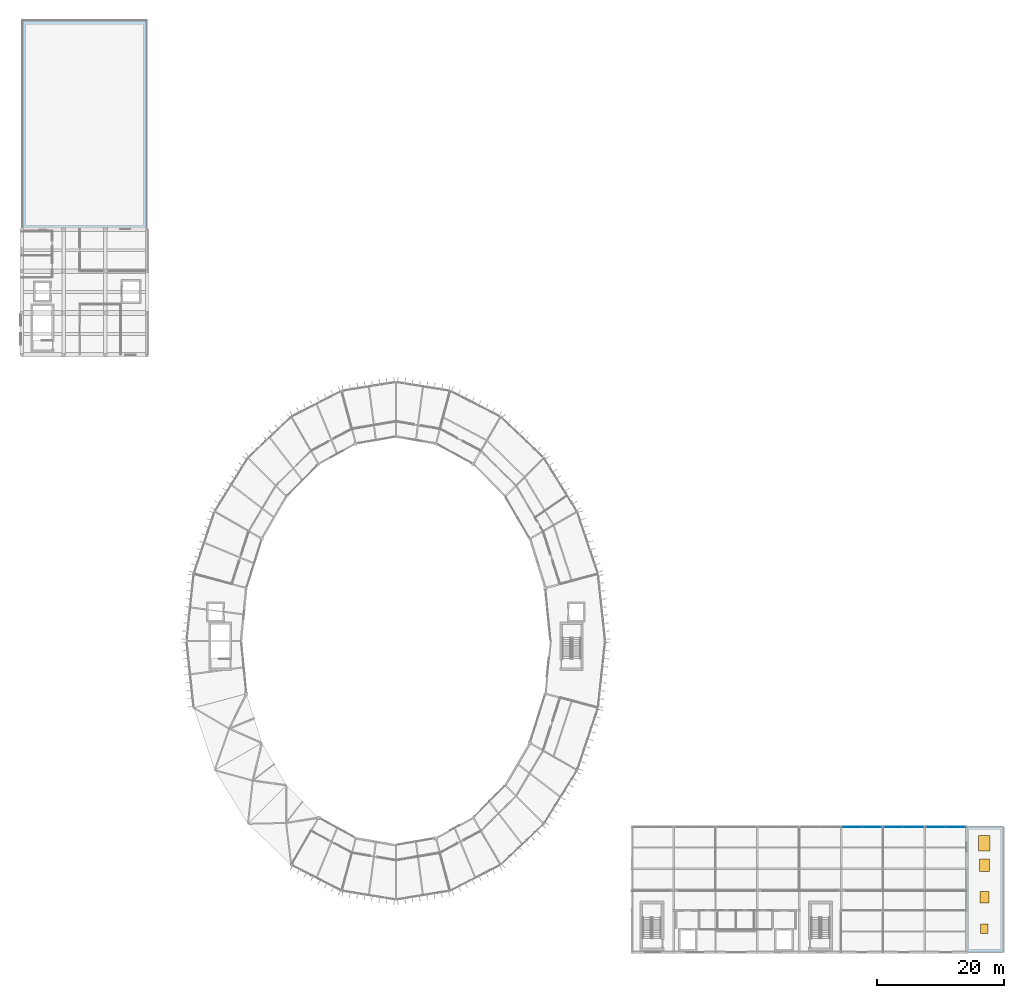
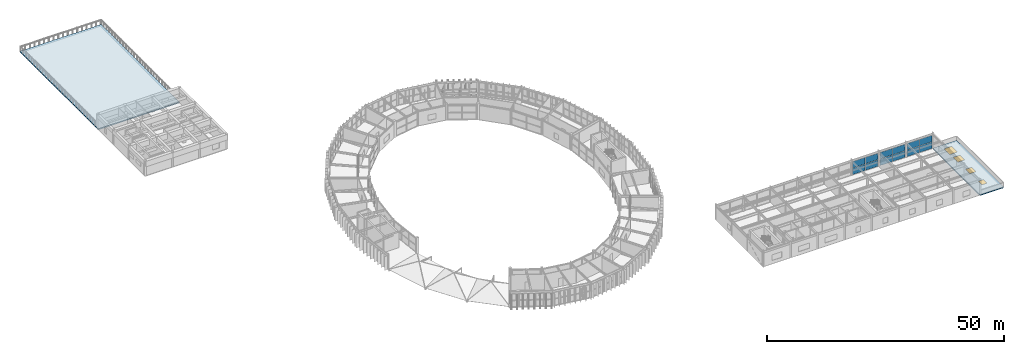
# One storey, part 85 of 106: 12 plates, 4 windows, 2 slabs, 4 openings, 3 elements without a shape of their own.
"""IFC4 building model written with IfcOpenShell, lengths in metres."""

from ifc_helpers import new_model, si_unit, direction, frame, origin, origin_2d, place, context, subcontext, project, spatial, polyline, rectangle, outline, extrude, material, layer, layer_set, type_object, element, fill, aggregate, save


model = new_model("IFC4")

# Units and contexts
model_context = context("Model", 3, precision=1e-05, world=origin(), true_north=direction((0.0, 1.0)))
body_context = subcontext(model_context, "Body", "Model", "MODEL_VIEW")
ifc_project = project(units=[si_unit("LENGTHUNIT", "METRE"), si_unit("AREAUNIT", "SQUARE_METRE"), si_unit("VOLUMEUNIT", "CUBIC_METRE"), si_unit("PLANEANGLEUNIT", "RADIAN"), si_unit("MASSUNIT", "GRAM", prefix="KILO")], contexts=[model_context])

# Site, building, storey
site_placement = place(None, origin())
site = spatial("IfcSite", under=ifc_project, at=site_placement, CompositionType="ELEMENT")
building_placement = place(site_placement, origin())
building = spatial("IfcBuilding", under=site, at=building_placement, Name="Karori Crest Natural Sciences Institute", CompositionType="ELEMENT")
storey_placement = place(building_placement, frame((0.0, 0.0, 25.89990234375)))
storey = spatial("IfcBuildingStorey", under=building, at=storey_placement, Name="L06", CompositionType="ELEMENT", Elevation=25.89990234375)

# Curtain wall, plates
ifc_material_1 = material(Name="Anodised architectural aluminium 6063-T6", Category="aluminium")
curtain_wall_type = type_object("IfcCurtainWallType", Name="CWT-20", PredefinedType="NOTDEFINED", material=ifc_material_1)
curtain_wall_1_placement = place(storey_placement, origin())
curtain_wall_1 = element("IfcCurtainWall", 1, at=curtain_wall_1_placement, inside=storey, type_object=curtain_wall_type, Name="Curtain wall CW-0354", PredefinedType="NOTDEFINED")
ifc_material_2 = material(Name="Double low-E laminated glass", Category="glass")
ifc_layer_1 = layer(ifc_material_2, 0.02392578125, Name="Double low-E laminated glass")
ifc_layer_set_1 = layer_set([ifc_layer_1], Name="Double low-E laminated glass")
plate_type = type_object("IfcPlateType", Name="CWP-01", PredefinedType="CURTAIN_PANEL", material=ifc_layer_set_1)
plate_1_placement = place(storey_placement, frame((138.343017578125, 20.5400390625, 0.06005859375), z_axis=(0.0, 0.0, 1.0), x_axis=(1.0, 0.0, 0.0)))
plate_1 = element("IfcPlate", 2, at=plate_1_placement, type_object=plate_type, Name="CW-0354 panel 1.1", PredefinedType="CURTAIN_PANEL", context=body_context, shape_type="SweptSolid", body=[
    extrude(rectangle(XDim=3.049072265625, YDim=0.02392578125, at=origin_2d()), origin(), (0.0, 0.0, 1.0), 1.66259765625),
])
plate_2_placement = place(storey_placement, frame((138.343017578125, 20.5400390625, 1.782470703125), z_axis=(0.0, 0.0, 1.0), x_axis=(1.0, 0.0, 0.0)))
plate_2 = element("IfcPlate", 3, at=plate_2_placement, type_object=plate_type, Name="CW-0354 panel 1.2", PredefinedType="CURTAIN_PANEL", context=body_context, shape_type="SweptSolid", body=[
    extrude(rectangle(XDim=3.049072265625, YDim=0.02392578125, at=origin_2d()), origin(), (0.0, 0.0, 1.0), 1.66259765625),
])
plate_3_placement = place(storey_placement, frame((141.45703125, 20.5400390625, 0.06005859375), z_axis=(0.0, 0.0, 1.0), x_axis=(1.0, 0.0, 0.0)))
plate_3 = element("IfcPlate", 4, at=plate_3_placement, type_object=plate_type, Name="CW-0354 panel 2.1", PredefinedType="CURTAIN_PANEL", context=body_context, shape_type="SweptSolid", body=[
    extrude(rectangle(XDim=3.049072265625, YDim=0.02392578125, at=origin_2d()), origin(), (0.0, 0.0, 1.0), 1.66259765625),
])
plate_4_placement = place(storey_placement, frame((141.45703125, 20.5400390625, 1.782470703125), z_axis=(0.0, 0.0, 1.0), x_axis=(1.0, 0.0, 0.0)))
plate_4 = element("IfcPlate", 5, at=plate_4_placement, type_object=plate_type, Name="CW-0354 panel 2.2", PredefinedType="CURTAIN_PANEL", context=body_context, shape_type="SweptSolid", body=[
    extrude(rectangle(XDim=3.049072265625, YDim=0.02392578125, at=origin_2d()), origin(), (0.0, 0.0, 1.0), 1.66259765625),
])
aggregate(curtain_wall_1, [plate_1, plate_2, plate_3, plate_4])

curtain_wall_2_placement = place(storey_placement, origin())
curtain_wall_2 = element("IfcCurtainWall", 6, at=curtain_wall_2_placement, inside=storey, type_object=curtain_wall_type, Name="Curtain wall CW-0355", PredefinedType="NOTDEFINED")
plate_5_placement = place(storey_placement, frame((144.943115234375, 20.5400390625, 0.06005859375), z_axis=(0.0, 0.0, 1.0), x_axis=(1.0, 0.0, 0.0)))
plate_5 = element("IfcPlate", 7, at=plate_5_placement, type_object=plate_type, Name="CW-0355 panel 1.1", PredefinedType="CURTAIN_PANEL", context=body_context, shape_type="SweptSolid", body=[
    extrude(rectangle(XDim=3.049072265625, YDim=0.02392578125, at=origin_2d()), origin(), (0.0, 0.0, 1.0), 1.66259765625),
])
plate_6_placement = place(storey_placement, frame((144.943115234375, 20.5400390625, 1.782470703125), z_axis=(0.0, 0.0, 1.0), x_axis=(1.0, 0.0, 0.0)))
plate_6 = element("IfcPlate", 8, at=plate_6_placement, type_object=plate_type, Name="CW-0355 panel 1.2", PredefinedType="CURTAIN_PANEL", context=body_context, shape_type="SweptSolid", body=[
    extrude(rectangle(XDim=3.049072265625, YDim=0.02392578125, at=origin_2d()), origin(), (0.0, 0.0, 1.0), 1.66259765625),
])
plate_7_placement = place(storey_placement, frame((148.056884765625, 20.5400390625, 0.06005859375), z_axis=(0.0, 0.0, 1.0), x_axis=(1.0, 0.0, 0.0)))
plate_7 = element("IfcPlate", 9, at=plate_7_placement, type_object=plate_type, Name="CW-0355 panel 2.1", PredefinedType="CURTAIN_PANEL", context=body_context, shape_type="SweptSolid", body=[
    extrude(rectangle(XDim=3.049072265625, YDim=0.02392578125, at=origin_2d()), origin(), (0.0, 0.0, 1.0), 1.66259765625),
])
plate_8_placement = place(storey_placement, frame((148.056884765625, 20.5400390625, 1.782470703125), z_axis=(0.0, 0.0, 1.0), x_axis=(1.0, 0.0, 0.0)))
plate_8 = element("IfcPlate", 10, at=plate_8_placement, type_object=plate_type, Name="CW-0355 panel 2.2", PredefinedType="CURTAIN_PANEL", context=body_context, shape_type="SweptSolid", body=[
    extrude(rectangle(XDim=3.049072265625, YDim=0.02392578125, at=origin_2d()), origin(), (0.0, 0.0, 1.0), 1.66259765625),
])
aggregate(curtain_wall_2, [plate_5, plate_6, plate_7, plate_8])

curtain_wall_3_placement = place(storey_placement, origin())
curtain_wall_3 = element("IfcCurtainWall", 11, at=curtain_wall_3_placement, inside=storey, type_object=curtain_wall_type, Name="Curtain wall CW-0356", PredefinedType="NOTDEFINED")
plate_9_placement = place(storey_placement, frame((151.54296875, 20.5400390625, 0.06005859375), z_axis=(0.0, 0.0, 1.0), x_axis=(1.0, 0.0, 0.0)))
plate_9 = element("IfcPlate", 12, at=plate_9_placement, type_object=plate_type, Name="CW-0356 panel 1.1", PredefinedType="CURTAIN_PANEL", context=body_context, shape_type="SweptSolid", body=[
    extrude(rectangle(XDim=3.049072265625, YDim=0.02392578125, at=origin_2d()), origin(), (0.0, 0.0, 1.0), 1.66259765625),
])
plate_10_placement = place(storey_placement, frame((151.54296875, 20.5400390625, 1.782470703125), z_axis=(0.0, 0.0, 1.0), x_axis=(1.0, 0.0, 0.0)))
plate_10 = element("IfcPlate", 13, at=plate_10_placement, type_object=plate_type, Name="CW-0356 panel 1.2", PredefinedType="CURTAIN_PANEL", context=body_context, shape_type="SweptSolid", body=[
    extrude(rectangle(XDim=3.049072265625, YDim=0.02392578125, at=origin_2d()), origin(), (0.0, 0.0, 1.0), 1.66259765625),
])
plate_11_placement = place(storey_placement, frame((154.656982421875, 20.5400390625, 0.06005859375), z_axis=(0.0, 0.0, 1.0), x_axis=(1.0, 0.0, 0.0)))
plate_11 = element("IfcPlate", 14, at=plate_11_placement, type_object=plate_type, Name="CW-0356 panel 2.1", PredefinedType="CURTAIN_PANEL", context=body_context, shape_type="SweptSolid", body=[
    extrude(rectangle(XDim=3.049072265625, YDim=0.02392578125, at=origin_2d()), origin(), (0.0, 0.0, 1.0), 1.66259765625),
])
plate_12_placement = place(storey_placement, frame((154.656982421875, 20.5400390625, 1.782470703125), z_axis=(0.0, 0.0, 1.0), x_axis=(1.0, 0.0, 0.0)))
plate_12 = element("IfcPlate", 15, at=plate_12_placement, type_object=plate_type, Name="CW-0356 panel 2.2", PredefinedType="CURTAIN_PANEL", context=body_context, shape_type="SweptSolid", body=[
    extrude(rectangle(XDim=3.049072265625, YDim=0.02392578125, at=origin_2d()), origin(), (0.0, 0.0, 1.0), 1.66259765625),
])
aggregate(curtain_wall_3, [plate_9, plate_10, plate_11, plate_12])

# Slab
ifc_material_3 = material(Name="Concrete 40 MPa", Category="concrete")
ifc_layer_2 = layer(ifc_material_3, 0.280029296875, Name="Concrete 40 MPa")
ifc_layer_set_2 = layer_set([ifc_layer_2], Name="Concrete 40 MPa")
slab_type = type_object("IfcSlabType", Name="SLT-12", PredefinedType="ROOF", material=ifc_layer_set_2)
slab_1_placement = place(storey_placement, frame((0.0, 0.0, -0.27978515625)))
element("IfcSlab", 16, at=slab_1_placement, inside=storey, type_object=slab_type, Name="V4-RG Slab SL-0160", PredefinedType="ROOF", context=body_context, shape_type="SweptSolid", body=[
    extrude(outline(polyline([(7.39990234375, 114.800048828125), (27.199951171875, 114.800048828125), (27.199951171875, 147.800048828125), (7.39990234375, 147.800048828125), (7.39990234375, 114.800048828125)])), origin(), (0.0, 0.0, 1.0), 0.27978515625),
])

# Slab, openings, windows
slab_2_placement = place(storey_placement, frame((0.0, 0.0, -0.27978515625)))
slab_2 = element("IfcSlab", 17, at=slab_2_placement, inside=storey, type_object=slab_type, Name="V5-RF Slab SL-0170", PredefinedType="ROOF", context=body_context, shape_type="SweptSolid", body=[
    extrude(outline(polyline([(156.39990234375, 0.800048828125), (162.199951171875, 0.800048828125), (162.199951171875, 20.60009765625), (156.39990234375, 20.60009765625), (156.39990234375, 0.800048828125)]), holes=[polyline([(158.60205078125, 5.248046875), (159.798095703125, 5.248046875), (159.798095703125, 3.751953125), (158.60205078125, 3.751953125), (158.60205078125, 5.248046875)]), polyline([(158.501953125, 10.39794921875), (159.89794921875, 10.39794921875), (159.89794921875, 8.60205078125), (158.501953125, 8.60205078125), (158.501953125, 10.39794921875)]), polyline([(158.402099609375, 15.498046875), (159.998046875, 15.498046875), (159.998046875, 13.501953125), (158.402099609375, 13.501953125), (158.402099609375, 15.498046875)]), polyline([(158.302001953125, 19.197998046875), (160.097900390625, 19.197998046875), (160.097900390625, 16.802001953125), (158.302001953125, 16.802001953125), (158.302001953125, 19.197998046875)])]), origin(), (0.0, 0.0, 1.0), 0.27978515625),
])
opening_1_placement = place(slab_2_placement, frame((159.199951171875, 4.5, 0.0)))
opening_1 = element("IfcOpeningElement", 18, at=opening_1_placement, cuts=slab_2, Name="Opening SK-0009", PredefinedType="OPENING", context=body_context, shape_type="SweptSolid", body=[
    extrude(rectangle(XDim=1.199951171875, YDim=1.5, at=origin_2d()), frame((0.0, 0.0, -0.010009765625)), (0.0, 0.0, 1.0), 0.2998046875),
])
opening_2_placement = place(slab_2_placement, frame((159.199951171875, 9.5, 0.0)))
opening_2 = element("IfcOpeningElement", 19, at=opening_2_placement, cuts=slab_2, Name="Opening SK-0010", PredefinedType="OPENING", context=body_context, shape_type="SweptSolid", body=[
    extrude(rectangle(XDim=1.39990234375, YDim=1.800048828125, at=origin_2d()), frame((0.0, 0.0, -0.010009765625)), (0.0, 0.0, 1.0), 0.2998046875),
])
opening_3_placement = place(slab_2_placement, frame((159.199951171875, 14.5, 0.0)))
opening_3 = element("IfcOpeningElement", 20, at=opening_3_placement, cuts=slab_2, Name="Opening SK-0011", PredefinedType="OPENING", context=body_context, shape_type="SweptSolid", body=[
    extrude(rectangle(XDim=1.60009765625, YDim=2.0, at=origin_2d()), frame((0.0, 0.0, -0.010009765625)), (0.0, 0.0, 1.0), 0.2998046875),
])
opening_4_placement = place(slab_2_placement, frame((159.199951171875, 18.0, 0.0)))
opening_4 = element("IfcOpeningElement", 21, at=opening_4_placement, cuts=slab_2, Name="Opening SK-0012", PredefinedType="OPENING", context=body_context, shape_type="SweptSolid", body=[
    extrude(rectangle(XDim=1.800048828125, YDim=2.39990234375, at=origin_2d()), frame((0.0, 0.0, -0.010009765625)), (0.0, 0.0, 1.0), 0.2998046875),
])
window_type_1 = type_object("IfcWindowType", Name="SKT-01", PartitioningType="SINGLE_PANEL", PredefinedType="SKYLIGHT", material=ifc_material_2)
window_1_placement = place(opening_1_placement, frame((0.0, 0.0, 0.229736328125)))
window_1 = element("IfcWindow", 22, at=window_1_placement, inside=storey, type_object=window_type_1, Name="Roof skylight hatch SK-0009", OverallHeight=1.5, OverallWidth=1.199951171875, PartitioningType="SINGLE_PANEL", PredefinedType="SKYLIGHT", context=body_context, shape_type="SweptSolid", body=[
    extrude(rectangle(XDim=1.199951171875, YDim=1.5, at=origin_2d()), origin(), (0.0, 0.0, 1.0), 0.050048828125),
])
fill(opening_1, window_1)
window_type_2 = type_object("IfcWindowType", Name="SKT-02", PartitioningType="SINGLE_PANEL", PredefinedType="SKYLIGHT", material=ifc_material_2)
window_2_placement = place(opening_2_placement, frame((0.0, 0.0, 0.229736328125)))
window_2 = element("IfcWindow", 23, at=window_2_placement, inside=storey, type_object=window_type_2, Name="Roof skylight hatch SK-0010", OverallHeight=1.800048828125, OverallWidth=1.39990234375, PartitioningType="SINGLE_PANEL", PredefinedType="SKYLIGHT", context=body_context, shape_type="SweptSolid", body=[
    extrude(rectangle(XDim=1.39990234375, YDim=1.800048828125, at=origin_2d()), origin(), (0.0, 0.0, 1.0), 0.050048828125),
])
fill(opening_2, window_2)
window_type_3 = type_object("IfcWindowType", Name="SKT-03", PartitioningType="SINGLE_PANEL", PredefinedType="SKYLIGHT", material=ifc_material_2)
window_3_placement = place(opening_3_placement, frame((0.0, 0.0, 0.229736328125)))
window_3 = element("IfcWindow", 24, at=window_3_placement, inside=storey, type_object=window_type_3, Name="Roof skylight hatch SK-0011", OverallHeight=2.0, OverallWidth=1.60009765625, PartitioningType="SINGLE_PANEL", PredefinedType="SKYLIGHT", context=body_context, shape_type="SweptSolid", body=[
    extrude(rectangle(XDim=1.60009765625, YDim=2.0, at=origin_2d()), origin(), (0.0, 0.0, 1.0), 0.050048828125),
])
fill(opening_3, window_3)
window_type_4 = type_object("IfcWindowType", Name="SKT-04", PartitioningType="SINGLE_PANEL", PredefinedType="SKYLIGHT", material=ifc_material_2)
window_4_placement = place(opening_4_placement, frame((0.0, 0.0, 0.229736328125)))
window_4 = element("IfcWindow", 25, at=window_4_placement, inside=storey, type_object=window_type_4, Name="Roof skylight hatch SK-0012", OverallHeight=2.39990234375, OverallWidth=1.800048828125, PartitioningType="SINGLE_PANEL", PredefinedType="SKYLIGHT", context=body_context, shape_type="SweptSolid", body=[
    extrude(rectangle(XDim=1.800048828125, YDim=2.39990234375, at=origin_2d()), origin(), (0.0, 0.0, 1.0), 0.050048828125),
])
fill(opening_4, window_4)

save(model, "model.ifc")
